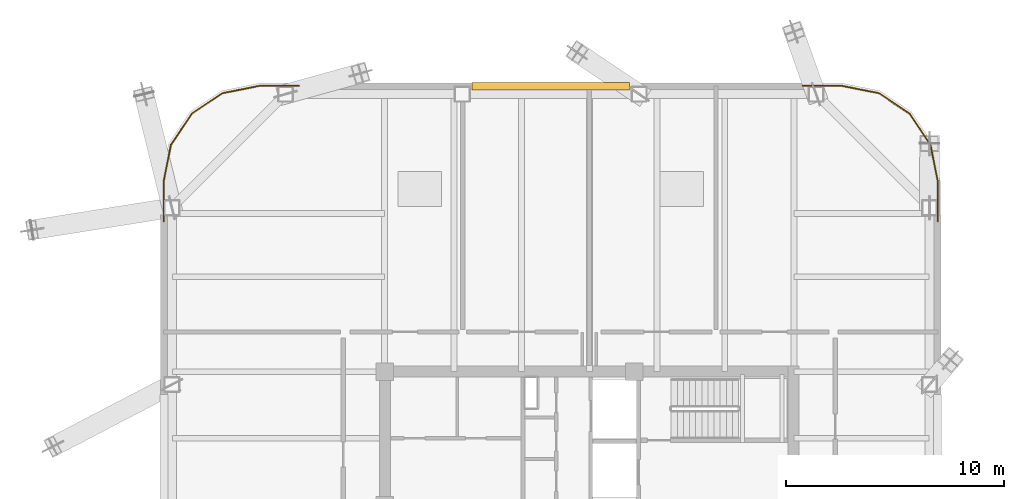
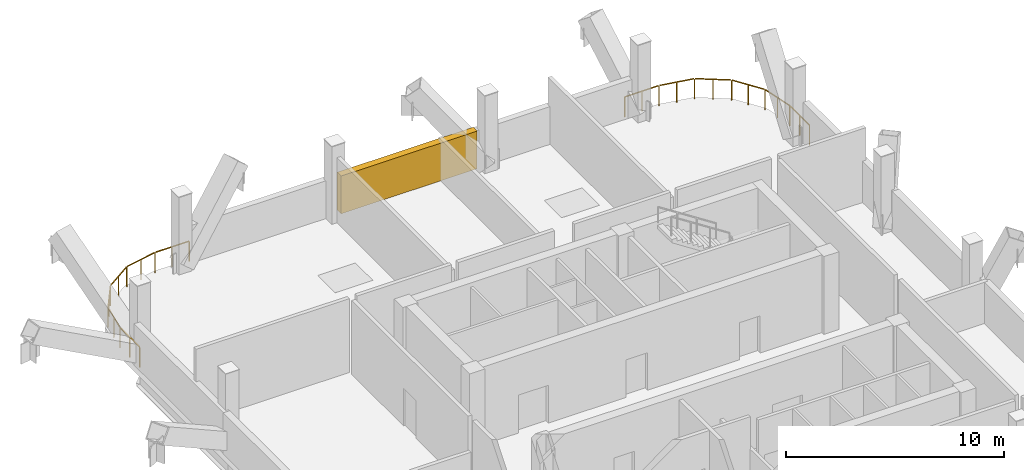
# One storey, part 8 of 8: 2 railings, 1 shading device.
"""IFC4 building model written with IfcOpenShell, lengths in metres."""

from ifc_helpers import new_model, si_unit, direction, frame, origin, origin_2d, place, context, subcontext, project, spatial, rectangle, extrude, material, type_object, element, save


model = new_model("IFC4")

# Units and contexts
model_context = context("Model", 3, precision=1e-05, world=origin(), true_north=direction((0.0, 1.0)))
body_context = subcontext(model_context, "Body", "Model", "MODEL_VIEW")
ifc_project = project(units=[si_unit("LENGTHUNIT", "METRE"), si_unit("AREAUNIT", "SQUARE_METRE"), si_unit("VOLUMEUNIT", "CUBIC_METRE"), si_unit("PLANEANGLEUNIT", "RADIAN"), si_unit("MASSUNIT", "GRAM", prefix="KILO")], contexts=[model_context])

# Site, building, storey
site_placement = place(None, origin())
site = spatial("IfcSite", under=ifc_project, at=site_placement, CompositionType="ELEMENT")
building_placement = place(site_placement, origin())
building = spatial("IfcBuilding", under=site, at=building_placement, Name="Qhalaya Broadcast Tower", CompositionType="ELEMENT")
storey_placement = place(building_placement, frame((0.0, 0.0, 151.800048828125)))
storey = spatial("IfcBuildingStorey", under=building, at=storey_placement, Name="L44", CompositionType="ELEMENT", Elevation=151.800048828125)

# Shading device
ifc_material_1 = material(Name="Fired Architectural Terracotta", Category="masonry")
shading_device_type = type_object("IfcShadingDeviceType", Name="Plant & Turbine-Slot Acoustic Louvre Screen LVS-01", PredefinedType="USERDEFINED", material=ifc_material_1)
shading_device_placement = place(storey_placement, frame((-1.77001953125, 23.02001953125, 0.0), z_axis=(0.0, 0.0, 1.0), x_axis=(1.0, 0.0, 0.0)))
element("IfcShadingDevice", 1, at=shading_device_placement, inside=storey, type_object=shading_device_type, Name="L44 Plant Acoustic Louvre Screen N", ObjectType="LOUVRE", PredefinedType="USERDEFINED", context=body_context, shape_type="SweptSolid", body=[
    extrude(rectangle(XDim=7.199951171875, YDim=0.360107421875, at=origin_2d()), origin(), (0.0, 0.0, 1.0), 2.110107421875),
])

# Railings
ifc_material_2 = material(Name="Powder-Coated Galvanised Steel", Category="steel")
railing_type = type_object("IfcRailingType", Name="Terrace, Sky-Pool & Lookout Glass Balustrade 1150", PredefinedType="BALUSTRADE", material=ifc_material_2)
railing_1_placement = place(storey_placement, frame((-19.5, 16.842041015625, 0.0)))
element("IfcRailing", 2, at=railing_1_placement, inside=storey, type_object=railing_type, Name="L44 Rounded Corner Perimeter Guard 03", PredefinedType="BALUSTRADE", context=body_context, shape_type="SweptSolid", body=[
    extrude(rectangle(XDim=0.048095703125, YDim=0.048095703125, at=origin_2d()), frame((0.0, 0.0, 1.1259765625), z_axis=(0.0, 1.0, 0.0), x_axis=(-1.0, 0.0, 0.0)), (0.0, 0.0, 1.0), 1.77734375),
    extrude(rectangle(XDim=0.048095703125, YDim=0.048095703125, at=origin_2d()), frame((0.005615234375, 1.83447265625, 1.1259765625), z_axis=(0.195024175165, 0.980798435511, 0.0), x_axis=(-0.980798435511, 0.195024175165, 0.0)), (0.0, 0.0, 1.0), 1.662353515625),
    extrude(rectangle(XDim=0.048095703125, YDim=0.048095703125, at=origin_2d()), frame((0.3515625, 3.51708984375, 1.1259765625), z_axis=(0.555524454036, 0.831500199018, 0.0), x_axis=(-0.831500199018, 0.555524454036, 0.0)), (0.0, 0.0, 1.0), 1.650634765625),
    extrude(rectangle(XDim=0.048095703125, YDim=0.048095703125, at=origin_2d()), frame((1.308349609375, 4.9296875, 1.1259765625), z_axis=(0.831456085426, 0.555590476887, 0.0), x_axis=(-0.555590476887, 0.831456085426, 0.0)), (0.0, 0.0, 1.0), 1.650390625),
    extrude(rectangle(XDim=0.048095703125, YDim=0.048095703125, at=origin_2d()), frame((2.73291015625, 5.8681640625, 1.1259765625), z_axis=(0.980803832953, 0.194997028864, 0.0), x_axis=(-0.194997028864, 0.980803832953, 0.0)), (0.0, 0.0, 1.0), 1.66259765625),
    extrude(rectangle(XDim=0.048095703125, YDim=0.048095703125, at=origin_2d()), frame((4.420654296875, 6.197998046875, 1.1259765625), z_axis=(1.0, 0.0, 0.0), x_axis=(0.0, 1.0, 0.0)), (0.0, 0.0, 1.0), 1.77734375),
    extrude(rectangle(XDim=0.0419921875, YDim=0.0419921875, at=origin_2d()), origin(), (0.0, 0.0, 1.0), 1.099853515625),
    extrude(rectangle(XDim=0.0419921875, YDim=0.0419921875, at=origin_2d()), frame((0.0, 0.903076171875, 0.0)), (0.0, 0.0, 1.0), 1.099853515625),
    extrude(rectangle(XDim=0.0419921875, YDim=0.0419921875, at=origin_2d()), frame((0.0, 1.80615234375, 0.0)), (0.0, 0.0, 1.0), 1.099853515625),
    extrude(rectangle(XDim=0.0419921875, YDim=0.0419921875, at=origin_2d()), frame((0.167724609375, 2.649658203125, 0.0)), (0.0, 0.0, 1.0), 1.099853515625),
    extrude(rectangle(XDim=0.0419921875, YDim=0.0419921875, at=origin_2d()), frame((0.33544921875, 3.4931640625, 0.0)), (0.0, 0.0, 1.0), 1.099853515625),
    extrude(rectangle(XDim=0.0419921875, YDim=0.0419921875, at=origin_2d()), frame((0.81005859375, 4.203369140625, 0.0)), (0.0, 0.0, 1.0), 1.099853515625),
    extrude(rectangle(XDim=0.0419921875, YDim=0.0419921875, at=origin_2d()), frame((1.284423828125, 4.91357421875, 0.0)), (0.0, 0.0, 1.0), 1.099853515625),
    extrude(rectangle(XDim=0.0419921875, YDim=0.0419921875, at=origin_2d()), frame((1.99462890625, 5.38818359375, 0.0)), (0.0, 0.0, 1.0), 1.099853515625),
    extrude(rectangle(XDim=0.0419921875, YDim=0.0419921875, at=origin_2d()), frame((2.70458984375, 5.862548828125, 0.0)), (0.0, 0.0, 1.0), 1.099853515625),
    extrude(rectangle(XDim=0.0419921875, YDim=0.0419921875, at=origin_2d()), frame((3.54833984375, 6.0302734375, 0.0)), (0.0, 0.0, 1.0), 1.099853515625),
    extrude(rectangle(XDim=0.0419921875, YDim=0.0419921875, at=origin_2d()), frame((4.391845703125, 6.197998046875, 0.0)), (0.0, 0.0, 1.0), 1.099853515625),
    extrude(rectangle(XDim=0.0419921875, YDim=0.0419921875, at=origin_2d()), frame((5.294921875, 6.197998046875, 0.0)), (0.0, 0.0, 1.0), 1.099853515625),
    extrude(rectangle(XDim=0.0419921875, YDim=0.0419921875, at=origin_2d()), frame((6.197998046875, 6.197998046875, 0.0)), (0.0, 0.0, 1.0), 1.099853515625),
])
railing_2_placement = place(storey_placement, frame((9.761962890625, 23.0400390625, 0.0)))
element("IfcRailing", 3, at=railing_2_placement, inside=storey, type_object=railing_type, Name="L44 Rounded Corner Perimeter Guard 04", PredefinedType="BALUSTRADE", context=body_context, shape_type="SweptSolid", body=[
    extrude(rectangle(XDim=0.048095703125, YDim=0.048095703125, at=origin_2d()), frame((0.0, 0.0, 1.1259765625), z_axis=(1.0, 0.0, 0.0), x_axis=(0.0, 1.0, 0.0)), (0.0, 0.0, 1.0), 1.77734375),
    extrude(rectangle(XDim=0.048095703125, YDim=0.048095703125, at=origin_2d()), frame((1.83447265625, -0.005615234375, 1.1259765625), z_axis=(0.980803832953, -0.194997028864, 0.0), x_axis=(0.194997028864, 0.980803832953, 0.0)), (0.0, 0.0, 1.0), 1.66259765625),
    extrude(rectangle(XDim=0.048095703125, YDim=0.048095703125, at=origin_2d()), frame((3.517333984375, -0.3515625, 1.1259765625), z_axis=(0.831456085426, -0.555590476887, 0.0), x_axis=(0.555590476887, 0.831456085426, 0.0)), (0.0, 0.0, 1.0), 1.650390625),
    extrude(rectangle(XDim=0.048095703125, YDim=0.048095703125, at=origin_2d()), frame((4.9296875, -1.308349609375, 1.1259765625), z_axis=(0.555524454036, -0.831500199018, 0.0), x_axis=(0.831500199018, 0.555524454036, 0.0)), (0.0, 0.0, 1.0), 1.650634765625),
    extrude(rectangle(XDim=0.048095703125, YDim=0.048095703125, at=origin_2d()), frame((5.8681640625, -2.733154296875, 1.1259765625), z_axis=(0.195024175165, -0.980798435511, 0.0), x_axis=(0.980798435511, 0.195024175165, 0.0)), (0.0, 0.0, 1.0), 1.662353515625),
    extrude(rectangle(XDim=0.048095703125, YDim=0.048095703125, at=origin_2d()), frame((6.197998046875, -4.420654296875, 1.1259765625), z_axis=(0.0, -1.0, 0.0), x_axis=(1.0, 0.0, 0.0)), (0.0, 0.0, 1.0), 1.77734375),
    extrude(rectangle(XDim=0.0419921875, YDim=0.0419921875, at=origin_2d()), origin(), (0.0, 0.0, 1.0), 1.099853515625),
    extrude(rectangle(XDim=0.0419921875, YDim=0.0419921875, at=origin_2d()), frame((0.903076171875, 0.0, 0.0)), (0.0, 0.0, 1.0), 1.099853515625),
    extrude(rectangle(XDim=0.0419921875, YDim=0.0419921875, at=origin_2d()), frame((1.80615234375, 0.0, 0.0)), (0.0, 0.0, 1.0), 1.099853515625),
    extrude(rectangle(XDim=0.0419921875, YDim=0.0419921875, at=origin_2d()), frame((2.64990234375, -0.167724609375, 0.0)), (0.0, 0.0, 1.0), 1.099853515625),
    extrude(rectangle(XDim=0.0419921875, YDim=0.0419921875, at=origin_2d()), frame((3.493408203125, -0.33544921875, 0.0)), (0.0, 0.0, 1.0), 1.099853515625),
    extrude(rectangle(XDim=0.0419921875, YDim=0.0419921875, at=origin_2d()), frame((4.20361328125, -0.81005859375, 0.0)), (0.0, 0.0, 1.0), 1.099853515625),
    extrude(rectangle(XDim=0.0419921875, YDim=0.0419921875, at=origin_2d()), frame((4.91357421875, -1.284423828125, 0.0)), (0.0, 0.0, 1.0), 1.099853515625),
    extrude(rectangle(XDim=0.0419921875, YDim=0.0419921875, at=origin_2d()), frame((5.38818359375, -1.99462890625, 0.0)), (0.0, 0.0, 1.0), 1.099853515625),
    extrude(rectangle(XDim=0.0419921875, YDim=0.0419921875, at=origin_2d()), frame((5.862548828125, -2.704833984375, 0.0)), (0.0, 0.0, 1.0), 1.099853515625),
    extrude(rectangle(XDim=0.0419921875, YDim=0.0419921875, at=origin_2d()), frame((6.0302734375, -3.54833984375, 0.0)), (0.0, 0.0, 1.0), 1.099853515625),
    extrude(rectangle(XDim=0.0419921875, YDim=0.0419921875, at=origin_2d()), frame((6.197998046875, -4.391845703125, 0.0)), (0.0, 0.0, 1.0), 1.099853515625),
    extrude(rectangle(XDim=0.0419921875, YDim=0.0419921875, at=origin_2d()), frame((6.197998046875, -5.294921875, 0.0)), (0.0, 0.0, 1.0), 1.099853515625),
    extrude(rectangle(XDim=0.0419921875, YDim=0.0419921875, at=origin_2d()), frame((6.197998046875, -6.197998046875, 0.0)), (0.0, 0.0, 1.0), 1.099853515625),
])

save(model, "model.ifc")
